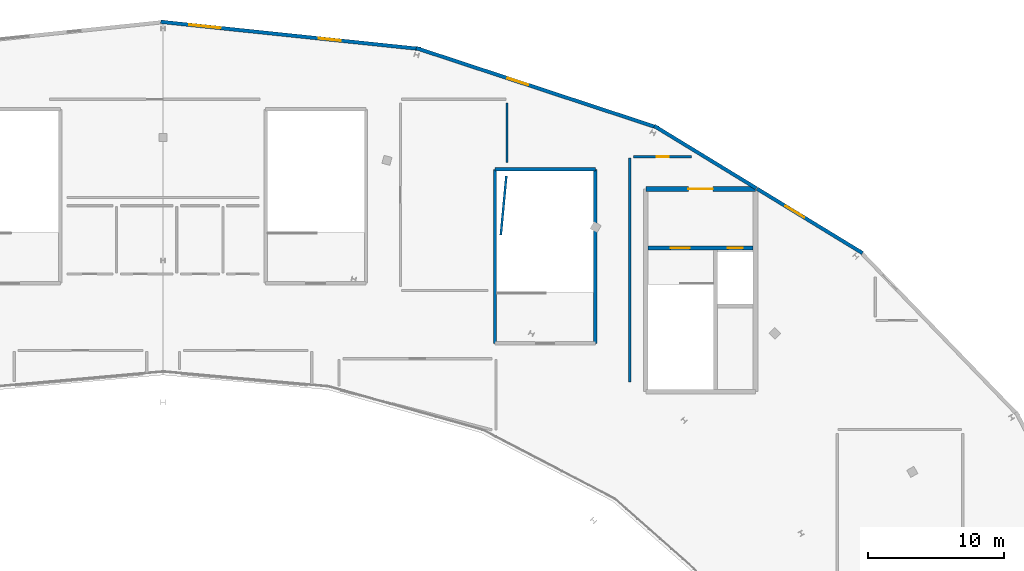
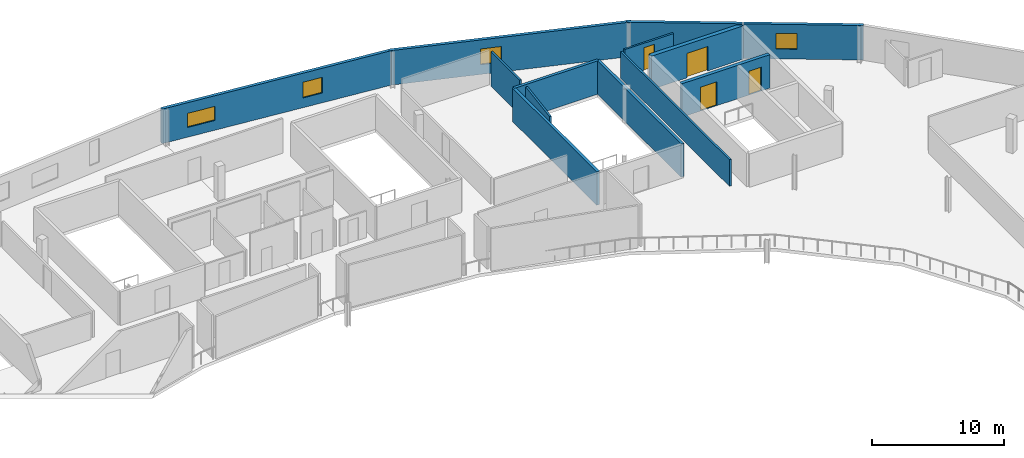
# One storey, part 32 of 35: 13 walls, 4 doors, 4 windows, 8 openings.
"""IFC4 building model written with IfcOpenShell, lengths in metres."""

import ifcopenshell
import ifcopenshell.guid

model = None  # the IFC model being written
_history = None  # IfcOwnerHistory: only IFC2X3 demands one
_inside = {}  # id of a spatial element -> (the spatial element, [elements in it])
_under = {}  # id of a project, library or spatial element -> (it, [spatial elements below it])
_declared = {}  # id of a project -> (the project, [libraries it declares])
_typed = {}  # id of a type object -> (the type object, [elements of that type])
_made_of = {}  # id of a material, layer set ... -> (it, [elements and type objects made of it])


def new_model(schema):
    """Start an empty IFC model of exactly this schema.

    Asked for "IFC4X3", IfcOpenShell would pick the latest addendum, in which some entities
    have other attributes; the version numbers below select the first issue.
    IFC2X3 requires an IfcOwnerHistory on every rooted entity: one is made here for all.
    """
    global model, _history
    if schema == "IFC4X3":
        model = ifcopenshell.file(schema_version=(4, 3, 0, 0))
    else:
        model = ifcopenshell.file(schema=schema)
    _inside.clear()
    _under.clear()
    _declared.clear()
    _typed.clear()
    _made_of.clear()
    _history = None
    if model.schema == "IFC2X3":
        org = make("IfcOrganization", Name="unknown")
        user = make(
            "IfcPersonAndOrganization",
            ThePerson=make("IfcPerson", FamilyName="unknown"),
            TheOrganization=org,
        )
        app = make(
            "IfcApplication",
            ApplicationDeveloper=org,
            Version="unknown",
            ApplicationFullName="unknown",
            ApplicationIdentifier="unknown",
        )
        _history = make(
            "IfcOwnerHistory",
            OwningUser=user,
            OwningApplication=app,
            ChangeAction="ADDED",
            CreationDate=0,
        )
    return model


def make(cls, **values):
    """One entity of the class cls with the attributes given. An attribute that is None is left unset."""
    return model.create_entity(
        cls, **{name: value for name, value in values.items() if value is not None}
    )


def rooted(cls, **values):
    """An entity with a GlobalId (a new one), such as an element, a storey or a relation."""
    return make(cls, GlobalId=ifcopenshell.guid.new(), OwnerHistory=_history, **values)


def si_unit(unit_type, name, prefix=None):
    """IfcSIUnit, for example si_unit("LENGTHUNIT", "METRE", prefix="MILLI")."""
    return make("IfcSIUnit", UnitType=unit_type, Prefix=prefix, Name=name)


def assignment(units):
    """IfcUnitAssignment: the units of a project."""
    return None if units is None else make("IfcUnitAssignment", Units=units)


def point(xyz):
    """IfcCartesianPoint."""
    return None if xyz is None else make("IfcCartesianPoint", Coordinates=xyz)


def direction(xyz):
    """IfcDirection."""
    return None if xyz is None else make("IfcDirection", DirectionRatios=xyz)


def frame(location, z_axis=None, x_axis=None):
    """IfcAxis2Placement3D, a coordinate frame: its origin and axes. An axis left out is left unset."""
    return make(
        "IfcAxis2Placement3D",
        Location=point(location),
        Axis=direction(z_axis),
        RefDirection=direction(x_axis),
    )


def frame_2d(location, x_axis=None):
    """IfcAxis2Placement2D, a coordinate frame in the plane: its origin and x axis."""
    return make(
        "IfcAxis2Placement2D", Location=point(location), RefDirection=direction(x_axis)
    )


def origin():
    """The frame at (0, 0, 0) with its axes left unset."""
    return frame((0.0, 0.0, 0.0))


def place(relative_to, where):
    """IfcLocalPlacement: puts the frame where relative to a parent placement (None: the world)."""
    return make(
        "IfcLocalPlacement", PlacementRelTo=relative_to, RelativePlacement=where
    )


def context(
    kind, dimensions, precision=None, world=None, true_north=None, identifier=None
):
    """IfcGeometricRepresentationContext, for example the 3D "Model" context."""
    return make(
        "IfcGeometricRepresentationContext",
        ContextIdentifier=identifier,
        ContextType=kind,
        CoordinateSpaceDimension=dimensions,
        Precision=precision,
        WorldCoordinateSystem=world,
        TrueNorth=true_north,
    )


def subcontext(parent, identifier, kind, view, scale=None):
    """IfcGeometricRepresentationSubContext, for example "Body" below "Model"."""
    return make(
        "IfcGeometricRepresentationSubContext",
        ContextIdentifier=identifier,
        ContextType=kind,
        ParentContext=parent,
        TargetScale=scale,
        TargetView=view,
    )


def project(units=None, contexts=None):
    """IfcProject with its units and contexts."""
    return rooted(
        "IfcProject",
        Name="project",
        RepresentationContexts=contexts,
        UnitsInContext=assignment(units),
    )


def spatial(cls, under=None, at=None, **own):
    """A site, building, storey or space (cls), placed at a placement, below another one or the project."""
    s = rooted(cls, ObjectPlacement=at, **own)
    if under is not None:
        _under.setdefault(under.id(), (under, []))[1].append(s)
    return s


def profile(cls, at=None, kind="AREA", **sizes):
    """A parametric profile (cls). Its sizes go by their IFC names, for example OverallWidth=200.0."""
    return make(cls, ProfileType=kind, Position=at, **sizes)


def rectangle(**sizes):
    """IfcRectangleProfileDef."""
    return profile("IfcRectangleProfileDef", **sizes)


def extrude(swept, where, along, depth):
    """IfcExtrudedAreaSolid: the profile swept, set in the frame where, extruded along a direction by depth."""
    return make(
        "IfcExtrudedAreaSolid",
        SweptArea=swept,
        Position=where,
        ExtrudedDirection=direction(along),
        Depth=depth,
    )


def shape(context_of_items, identifier, shape_type, items):
    """IfcShapeRepresentation: the items that make up one representation, for example the "Body"."""
    return make(
        "IfcShapeRepresentation",
        ContextOfItems=context_of_items,
        RepresentationIdentifier=identifier,
        RepresentationType=shape_type,
        Items=items,
    )


def material(Name=None, Category=None):
    """IfcMaterial."""
    return make("IfcMaterial", Name=Name, Category=Category)


def layer(
    of_material, thickness, ventilated=None, Name=None, Category=None, Priority=None
):
    """IfcMaterialLayer: one layer of a wall or slab, of a material (None: an air gap)."""
    return make(
        "IfcMaterialLayer",
        Material=of_material,
        LayerThickness=thickness,
        IsVentilated=ventilated,
        Name=Name,
        Category=Category,
        Priority=Priority,
    )


def layer_set(layers, Name=None):
    """IfcMaterialLayerSet."""
    return make("IfcMaterialLayerSet", MaterialLayers=layers, LayerSetName=Name)


def made_of(thing, what):
    """Note that an element or type object is made of a material, layer set ...; save() writes the relation."""
    if what is not None:
        _made_of.setdefault(what.id(), (what, []))[1].append(thing)
    return thing


def type_object(cls, material=None, **own):
    """A type object (cls), such as IfcWallType, which elements share."""
    return made_of(rooted(cls, **own), material)


def element(
    cls,
    number,
    at=None,
    inside=None,
    cuts=None,
    type_object=None,
    material=None,
    context=None,
    identifier="Body",
    shape_type=None,
    held_by="IfcProductDefinitionShape",
    body=None,
    shapes=None,
    **own,
):
    """One element of the class cls, such as IfcWall. Its Tag is "e" and its number.

    at: its placement. inside: the storey or other place that contains it. cuts: it is an
    opening in that element (IfcRelVoidsElement). A single representation is given by context,
    identifier, shape_type and body (its items); several are given by shapes. held_by: the class
    of the entity that holds the representations. save() writes the other relations.
    """
    e = rooted(cls, Tag="e%d" % number, ObjectPlacement=at, **own)
    if body is not None:
        shapes = [shape(context, identifier, shape_type, body)]
    if shapes is not None:
        e.Representation = make(held_by, Representations=shapes)
    if inside is not None:
        _inside.setdefault(inside.id(), (inside, []))[1].append(e)
    if cuts is not None:
        rooted(
            "IfcRelVoidsElement", RelatingBuildingElement=cuts, RelatedOpeningElement=e
        )
    if type_object is not None:
        _typed.setdefault(type_object.id(), (type_object, []))[1].append(e)
    return made_of(e, material)


def fill(opening, filler):
    """IfcRelFillsElement: the door or window that sits in an opening."""
    return rooted(
        "IfcRelFillsElement",
        RelatingOpeningElement=opening,
        RelatedBuildingElement=filler,
    )


def aggregate(whole, parts):
    """IfcRelAggregates: a whole, such as a stair, and the parts it consists of."""
    return rooted("IfcRelAggregates", RelatingObject=whole, RelatedObjects=parts)


def save(model, path):
    """Write the relations noted so far, then the file.

    IfcRelAggregates (storeys below a building ...), IfcRelContainedInSpatialStructure (elements
    in a storey), IfcRelDefinesByType, IfcRelAssociatesMaterial and IfcRelDeclares: one each for
    every whole, place, type object, material and project.
    """
    for whole, parts in _under.values():
        aggregate(whole, parts)
    for where, things in _inside.values():
        rooted(
            "IfcRelContainedInSpatialStructure",
            RelatedElements=things,
            RelatingStructure=where,
        )
    for kind, things in _typed.values():
        rooted("IfcRelDefinesByType", RelatedObjects=things, RelatingType=kind)
    for what, things in _made_of.values():
        rooted("IfcRelAssociatesMaterial", RelatedObjects=things, RelatingMaterial=what)
    for by, libraries in _declared.values():
        rooted("IfcRelDeclares", RelatingContext=by, RelatedDefinitions=libraries)
    model.write(path)


model = new_model("IFC4")

# Units and contexts
model_context = context("Model", 3, precision=1e-05, world=origin(), true_north=direction((0.0, 1.0)))
body_context = subcontext(model_context, "Body", "Model", "MODEL_VIEW")
ifc_project = project(units=[si_unit("LENGTHUNIT", "METRE"), si_unit("AREAUNIT", "SQUARE_METRE"), si_unit("VOLUMEUNIT", "CUBIC_METRE"), si_unit("PLANEANGLEUNIT", "RADIAN"), si_unit("MASSUNIT", "GRAM", prefix="KILO")], contexts=[model_context])

# Site, building, storey
site_placement = place(None, origin())
site = spatial("IfcSite", under=ifc_project, at=site_placement, CompositionType="ELEMENT")
building_placement = place(site_placement, origin())
building = spatial("IfcBuilding", under=site, at=building_placement, Name="Kalgoora Escarpment Arena", CompositionType="ELEMENT")
storey_placement = place(building_placement, frame((0.0, 0.0, 23.39990234375)))
storey = spatial("IfcBuildingStorey", under=building, at=storey_placement, Name="L05", CompositionType="ELEMENT", Elevation=23.39990234375)

# Wall, opening, door
ifc_material_1 = material(Name="Concrete N50 (fc' 50 MPa)", Category="concrete")
ifc_layer_1 = layer(ifc_material_1, 0.35009765625)
ifc_layer_set_1 = layer_set([ifc_layer_1], Name="WAL-CORE-350")
wall_type_1 = type_object("IfcWallType", Name="WAL-CORE-350", PredefinedType="SHEAR", material=ifc_layer_set_1)
wall_1_placement = place(storey_placement, frame((127.77490234375, 109.22509765625, 0.0), z_axis=(0.0, 0.0, 1.0), x_axis=(1.0, 0.0, 0.0)))
wall_1 = element("IfcWall", 1, at=wall_1_placement, inside=storey, type_object=wall_type_1, Name="Core C4 L05 north lobby wall", PredefinedType="SHEAR", context=body_context, shape_type="SweptSolid", body=[
    extrude(rectangle(XDim=8.050048828125, YDim=0.35009765625, at=frame_2d((4.02490234375, 0.0))), origin(), (0.0, 0.0, 1.0), 3.080078125),
])
opening_1_placement = place(wall_1_placement, frame((3.125, 0.0, 0.0)))
opening_1 = element("IfcOpeningElement", 2, at=opening_1_placement, cuts=wall_1, Name="Opening FD-C4L", PredefinedType="OPENING", context=body_context, shape_type="SweptSolid", body=[
    extrude(rectangle(XDim=1.800048828125, YDim=2.25, at=frame_2d((0.89990234375, 1.125))), frame((0.0, 0.18505859375, 0.0), z_axis=(0.0, -1.0, 0.0), x_axis=(1.0, 0.0, 0.0)), (0.0, 0.0, 1.0), 0.3701171875),
])
ifc_material_2 = material(Name="Double fire-rated smoke-seal lobby door")
door_type_1 = type_object("IfcDoorType", Name="DR-LOBBY-1800", OperationType="NOTDEFINED", PredefinedType="DOOR", material=ifc_material_2)
door_1_placement = place(opening_1_placement, origin())
door_1 = element("IfcDoor", 3, at=door_1_placement, inside=storey, type_object=door_type_1, Name="Core C4 L05 smoke-lobby fire door", OperationType="DOUBLE_DOOR_SINGLE_SWING", OverallHeight=2.25, OverallWidth=1.800048828125, PredefinedType="DOOR", context=body_context, shape_type="SweptSolid", body=[
    extrude(rectangle(XDim=1.800048828125, YDim=2.25, at=frame_2d((0.89990234375, 1.125))), frame((0.0, 0.02490234375, 0.0), z_axis=(0.0, -1.0, 0.0), x_axis=(1.0, 0.0, 0.0)), (0.0, 0.0, 1.0), 0.050048828125),
])
fill(opening_1, door_1)

# Wall, openings, windows
ifc_material_3 = material(Name="Media ring insulated acoustic facade wall 40 MPa", Category="concrete")
ifc_layer_2 = layer(ifc_material_3, 0.264892578125)
ifc_layer_set_2 = layer_set([ifc_layer_2], Name="WAL-EXT-265")
wall_type_2 = type_object("IfcWallType", Name="WAL-EXT-265", PredefinedType="SOLIDWALL", material=ifc_layer_set_2)
wall_2_placement = place(storey_placement, frame((92.2333984375, 121.484130859375, 0.0), z_axis=(0.0, 0.0, 1.0), x_axis=(0.994559811118, -0.104167087454, 0.0)))
wall_2 = element("IfcWall", 4, at=wall_2_placement, inside=storey, type_object=wall_type_2, Name="L05 limestone-faced external wall 096", PredefinedType="SOLIDWALL", context=body_context, shape_type="SweptSolid", body=[
    extrude(rectangle(XDim=19.1484375, YDim=0.264892578125, at=frame_2d((9.57421875, 0.0))), origin(), (0.0, 0.0, 1.0), 3.18017578125),
])
opening_2_placement = place(wall_2_placement, frame((2.10009765625, 0.0, 0.89990234375)))
opening_2 = element("IfcOpeningElement", 5, at=opening_2_placement, cuts=wall_2, Name="Opening W-16", PredefinedType="OPENING", context=body_context, shape_type="SweptSolid", body=[
    extrude(rectangle(XDim=2.300048828125, YDim=1.300048828125, at=frame_2d((1.14990234375, 0.64990234375))), frame((0.0, 0.142333984375, 0.0), z_axis=(0.0, -1.0, 0.0), x_axis=(1.0, 0.0, 0.0)), (0.0, 0.0, 1.0), 0.284912109375),
])
opening_3_placement = place(wall_2_placement, frame((11.64990234375, 0.0, 0.89990234375)))
opening_3 = element("IfcOpeningElement", 6, at=opening_3_placement, cuts=wall_2, Name="Opening W-19", PredefinedType="OPENING", context=body_context, shape_type="SweptSolid", body=[
    extrude(rectangle(XDim=1.60009765625, YDim=1.449951171875, at=frame_2d((0.800048828125, 0.72509765625))), frame((0.0, 0.142333984375, 0.0), z_axis=(0.0, -1.0, 0.0), x_axis=(1.0, 0.0, 0.0)), (0.0, 0.0, 1.0), 0.284912109375),
])
ifc_material_4 = material(Name="Low-E solar-control double glazing in champagne frame", Category="glass")
window_type_1 = type_object("IfcWindowType", Name="WIN-BOH-1600x1450", PartitioningType="SINGLE_PANEL", PredefinedType="WINDOW", material=ifc_material_4)
window_1_placement = place(opening_3_placement, origin())
window_1 = element("IfcWindow", 7, at=window_1_placement, inside=storey, type_object=window_type_1, Name="L05 scheduled facade window 157", OverallHeight=1.449951171875, OverallWidth=1.60009765625, PartitioningType="SINGLE_PANEL", PredefinedType="WINDOW", context=body_context, shape_type="SweptSolid", body=[
    extrude(rectangle(XDim=1.60009765625, YDim=1.449951171875, at=frame_2d((0.800048828125, 0.72509765625))), frame((0.0, 0.030029296875, 0.0), z_axis=(0.0, -1.0, 0.0), x_axis=(1.0, 0.0, 0.0)), (0.0, 0.0, 1.0), 0.06005859375),
])
fill(opening_3, window_1)
ifc_material_5 = material(Name="Low-E solar-control double glazing in champagne frame", Category="glass")
window_type_2 = type_object("IfcWindowType", Name="WIN-CLER-2300x1300", PartitioningType="SINGLE_PANEL", PredefinedType="WINDOW", material=ifc_material_5)
window_2_placement = place(opening_2_placement, origin())
window_2 = element("IfcWindow", 8, at=window_2_placement, inside=storey, type_object=window_type_2, Name="L05 scheduled facade window 156", OverallHeight=1.300048828125, OverallWidth=2.300048828125, PartitioningType="SINGLE_PANEL", PredefinedType="WINDOW", context=body_context, shape_type="SweptSolid", body=[
    extrude(rectangle(XDim=2.300048828125, YDim=1.300048828125, at=frame_2d((1.14990234375, 0.64990234375))), frame((0.0, 0.030029296875, 0.0), z_axis=(0.0, -1.0, 0.0), x_axis=(1.0, 0.0, 0.0)), (0.0, 0.0, 1.0), 0.06005859375),
])
fill(opening_2, window_2)

# Wall, opening, window
wall_3_placement = place(storey_placement, frame((110.951171875, 119.5595703125, 0.0), z_axis=(0.0, 0.0, 1.0), x_axis=(0.949760483421, -0.312977673536, 0.0)))
wall_3 = element("IfcWall", 9, at=wall_3_placement, inside=storey, type_object=wall_type_2, Name="L05 limestone-faced external wall 097", PredefinedType="SOLIDWALL", context=body_context, shape_type="SweptSolid", body=[
    extrude(rectangle(XDim=18.692626953125, YDim=0.264892578125, at=frame_2d((9.34619140625, 0.0))), origin(), (0.0, 0.0, 1.0), 3.18017578125),
])
opening_4_placement = place(wall_3_placement, frame((7.050048828125, 0.0, 0.89990234375)))
opening_4 = element("IfcOpeningElement", 10, at=opening_4_placement, cuts=wall_3, Name="Opening W-19", PredefinedType="OPENING", context=body_context, shape_type="SweptSolid", body=[
    extrude(rectangle(XDim=1.60009765625, YDim=1.449951171875, at=frame_2d((0.800048828125, 0.72509765625))), frame((0.0, 0.142333984375, 0.0), z_axis=(0.0, -1.0, 0.0), x_axis=(1.0, 0.0, 0.0)), (0.0, 0.0, 1.0), 0.284912109375),
])
window_3_placement = place(opening_4_placement, origin())
window_3 = element("IfcWindow", 11, at=window_3_placement, inside=storey, type_object=window_type_1, Name="L05 scheduled facade window 158", OverallHeight=1.449951171875, OverallWidth=1.60009765625, PartitioningType="SINGLE_PANEL", PredefinedType="WINDOW", context=body_context, shape_type="SweptSolid", body=[
    extrude(rectangle(XDim=1.60009765625, YDim=1.449951171875, at=frame_2d((0.800048828125, 0.72509765625))), frame((0.0, 0.030029296875, 0.0), z_axis=(0.0, -1.0, 0.0), x_axis=(1.0, 0.0, 0.0)), (0.0, 0.0, 1.0), 0.06005859375),
])
fill(opening_4, window_3)

# Wall
wall_4_placement = place(storey_placement, frame((128.39990234375, 113.85009765625, 0.0), z_axis=(0.0, 0.0, 1.0), x_axis=(0.85351467128, -0.521068811108, 0.0)))
element("IfcWall", 12, at=wall_4_placement, inside=storey, type_object=wall_type_2, Name="L05 limestone-faced external wall 098", PredefinedType="SOLIDWALL", context=body_context, shape_type="SweptSolid", body=[
    extrude(rectangle(XDim=8.757568359375, YDim=0.264892578125, at=frame_2d((4.37890625, 0.0))), origin(), (0.0, 0.0, 1.0), 3.18017578125),
])

# Wall, opening, window
wall_5_placement = place(storey_placement, frame((135.930908203125, 109.25244140625, 0.0), z_axis=(0.0, 0.0, 1.0), x_axis=(0.853521769318, -0.52105718429, 0.0)))
wall_5 = element("IfcWall", 13, at=wall_5_placement, inside=storey, type_object=wall_type_2, Name="L05 limestone-faced external wall 099", PredefinedType="SOLIDWALL", context=body_context, shape_type="SweptSolid", body=[
    extrude(rectangle(XDim=9.051513671875, YDim=0.264892578125, at=frame_2d((4.52587890625, 0.0))), origin(), (0.0, 0.0, 1.0), 3.18017578125),
])
opening_5_placement = place(wall_5_placement, frame((2.449951171875, 0.0, 0.89990234375)))
opening_5 = element("IfcOpeningElement", 14, at=opening_5_placement, cuts=wall_5, Name="Opening W-19", PredefinedType="OPENING", context=body_context, shape_type="SweptSolid", body=[
    extrude(rectangle(XDim=1.60009765625, YDim=1.449951171875, at=frame_2d((0.800048828125, 0.72509765625))), frame((0.0, 0.142333984375, 0.0), z_axis=(0.0, -1.0, 0.0), x_axis=(1.0, 0.0, 0.0)), (0.0, 0.0, 1.0), 0.284912109375),
])
window_4_placement = place(opening_5_placement, origin())
window_4 = element("IfcWindow", 15, at=window_4_placement, inside=storey, type_object=window_type_1, Name="L05 scheduled facade window 159", OverallHeight=1.449951171875, OverallWidth=1.60009765625, PartitioningType="SINGLE_PANEL", PredefinedType="WINDOW", context=body_context, shape_type="SweptSolid", body=[
    extrude(rectangle(XDim=1.60009765625, YDim=1.449951171875, at=frame_2d((0.800048828125, 0.72509765625))), frame((0.0, 0.030029296875, 0.0), z_axis=(0.0, -1.0, 0.0), x_axis=(1.0, 0.0, 0.0)), (0.0, 0.0, 1.0), 0.06005859375),
])
fill(opening_5, window_4)

# Walls
ifc_material_6 = material(Name="Broadcast acoustic double-stud partition", Category="gypsum")
ifc_layer_3 = layer(ifc_material_6, 0.1650390625)
ifc_layer_set_3 = layer_set([ifc_layer_3], Name="WAL-MED-165")
wall_type_3 = type_object("IfcWallType", Name="WAL-MED-165", PredefinedType="PARTITIONING", material=ifc_layer_set_3)
wall_6_placement = place(storey_placement, frame((117.60009765625, 115.51513671875, 0.0), z_axis=(0.0, 0.0, 1.0), x_axis=(0.0, -1.0, 0.0)))
element("IfcWall", 16, at=wall_6_placement, inside=storey, type_object=wall_type_3, Name="L05 Press Workroom partition wall", PredefinedType="PARTITIONING", context=body_context, shape_type="SweptSolid", body=[
    extrude(rectangle(XDim=4.340087890625, YDim=0.1650390625, at=frame_2d((2.169921875, 0.0))), origin(), (0.0, 0.0, 1.0), 3.18017578125),
])
wall_7_placement = place(storey_placement, frame((117.557373046875, 110.17529296875, 0.0), z_axis=(0.0, 0.0, 1.0), x_axis=(-0.093589006701, -0.995610916887, 0.0)))
element("IfcWall", 17, at=wall_7_placement, inside=storey, type_object=wall_type_3, Name="L05 Press Workroom partition wall", PredefinedType="PARTITIONING", context=body_context, shape_type="SweptSolid", body=[
    extrude(rectangle(XDim=4.3251953125, YDim=0.1650390625, at=frame_2d((2.16259765625, 0.0))), origin(), (0.0, 0.0, 1.0), 3.18017578125),
])
wall_8_placement = place(storey_placement, frame((126.60009765625, 95.080078125, 0.0), z_axis=(0.0, 0.0, 1.0), x_axis=(0.0, 1.0, 0.0)))
element("IfcWall", 18, at=wall_8_placement, inside=storey, type_object=wall_type_3, Name="L05 East Broadcast Replay Studio partition wall", PredefinedType="PARTITIONING", context=body_context, shape_type="SweptSolid", body=[
    extrude(rectangle(XDim=16.43994140625, YDim=0.1650390625, at=frame_2d((8.219970703125, 0.0))), origin(), (0.0, 0.0, 1.0), 2.445068359375),
])

# Wall, opening, door
wall_9_placement = place(storey_placement, frame((126.884765625, 111.60009765625, 0.0), z_axis=(0.0, 0.0, 1.0), x_axis=(1.0, 0.0, 0.0)))
wall_9 = element("IfcWall", 19, at=wall_9_placement, inside=storey, type_object=wall_type_3, Name="L05 East Broadcast Replay Studio partition wall", PredefinedType="PARTITIONING", context=body_context, shape_type="SweptSolid", body=[
    extrude(rectangle(XDim=4.25732421875, YDim=0.1650390625, at=frame_2d((2.128662109375, 0.0))), origin(), (0.0, 0.0, 1.0), 2.5),
])
opening_6_placement = place(wall_9_placement, frame((1.6787109375, 0.0, 0.0)))
opening_6 = element("IfcOpeningElement", 20, at=opening_6_placement, cuts=wall_9, Name="Opening FD-I157", PredefinedType="OPENING", context=body_context, shape_type="SweptSolid", body=[
    extrude(rectangle(XDim=0.89990234375, YDim=2.10009765625, at=frame_2d((0.449951171875, 1.050048828125))), frame((0.0, 0.092529296875, 0.0), z_axis=(0.0, -1.0, 0.0), x_axis=(1.0, 0.0, 0.0)), (0.0, 0.0, 1.0), 0.18505859375),
])
ifc_material_7 = material(Name="Fire-rated steel riser access door", Category="steel")
door_type_2 = type_object("IfcDoorType", Name="DR-RISER-0900", OperationType="NOTDEFINED", PredefinedType="DOOR", material=ifc_material_7)
door_2_placement = place(opening_6_placement, origin())
door_2 = element("IfcDoor", 21, at=door_2_placement, inside=storey, type_object=door_type_2, Name="East Broadcast Replay Studio entrance door", OperationType="SINGLE_SWING_LEFT", OverallHeight=2.10009765625, OverallWidth=0.89990234375, PredefinedType="DOOR", context=body_context, shape_type="SweptSolid", body=[
    extrude(rectangle(XDim=0.89990234375, YDim=2.10009765625, at=frame_2d((0.449951171875, 1.050048828125))), frame((0.0, 0.02490234375, 0.0), z_axis=(0.0, -1.0, 0.0), x_axis=(1.0, 0.0, 0.0)), (0.0, 0.0, 1.0), 0.050048828125),
])
fill(opening_6, door_2)

# Wall, openings, doors
ifc_material_8 = material(Name="Concrete N50 (fc' 50 MPa)", Category="concrete")
ifc_layer_4 = layer(ifc_material_8, 0.300048828125)
ifc_layer_set_4 = layer_set([ifc_layer_4], Name="WAL-SHAFT-300")
wall_type_4 = type_object("IfcWallType", Name="WAL-SHAFT-300", PredefinedType="SHEAR", material=ifc_layer_set_4)
wall_10_placement = place(storey_placement, frame((127.949951171875, 104.89990234375, 0.0), z_axis=(0.0, 0.0, 1.0), x_axis=(1.0, 0.0, 0.0)))
wall_10 = element("IfcWall", 22, at=wall_10_placement, inside=storey, type_object=wall_type_4, Name="Core C4 L05 lobby shaft wall", PredefinedType="SHEAR", context=body_context, shape_type="SweptSolid", body=[
    extrude(rectangle(XDim=7.699951171875, YDim=0.300048828125, at=frame_2d((3.85009765625, 0.0))), origin(), (0.0, 0.0, 1.0), 3.080078125),
])
opening_7_placement = place(wall_10_placement, frame((1.64990234375, 0.0, 0.0)))
opening_7 = element("IfcOpeningElement", 23, at=opening_7_placement, cuts=wall_10, Name="Opening FD-ST04", PredefinedType="OPENING", context=body_context, shape_type="SweptSolid", body=[
    extrude(rectangle(XDim=1.39990234375, YDim=2.199951171875, at=frame_2d((0.699951171875, 1.10009765625))), frame((0.0, 0.159912109375, 0.0), z_axis=(0.0, -1.0, 0.0), x_axis=(1.0, 0.0, 0.0)), (0.0, 0.0, 1.0), 0.320068359375),
])
opening_8_placement = place(wall_10_placement, frame((5.85009765625, 0.0, 0.0)))
opening_8 = element("IfcOpeningElement", 24, at=opening_8_placement, cuts=wall_10, Name="Opening LD-PL2", PredefinedType="OPENING", context=body_context, shape_type="SweptSolid", body=[
    extrude(rectangle(XDim=1.10009765625, YDim=2.199951171875, at=frame_2d((0.550048828125, 1.10009765625))), frame((0.0, 0.159912109375, 0.0), z_axis=(0.0, -1.0, 0.0), x_axis=(1.0, 0.0, 0.0)), (0.0, 0.0, 1.0), 0.320068359375),
])
ifc_material_9 = material(Name="Brushed stainless steel sliding lift landing door", Category="steel")
door_type_3 = type_object("IfcDoorType", Name="DR-LD-PL2", OperationType="SLIDING_TO_LEFT", PredefinedType="DOOR", material=ifc_material_9)
door_3_placement = place(opening_8_placement, origin())
door_3 = element("IfcDoor", 25, at=door_3_placement, inside=storey, type_object=door_type_3, Name="Lift PL2 L05 sliding landing door", OperationType="SLIDING_TO_LEFT", OverallHeight=2.199951171875, OverallWidth=1.10009765625, PredefinedType="DOOR", context=body_context, shape_type="SweptSolid", body=[
    extrude(rectangle(XDim=1.10009765625, YDim=2.199951171875, at=frame_2d((0.550048828125, 1.10009765625))), frame((0.0, 0.02490234375, 0.0), z_axis=(0.0, -1.0, 0.0), x_axis=(1.0, 0.0, 0.0)), (0.0, 0.0, 1.0), 0.050048828125),
])
fill(opening_8, door_3)
ifc_material_10 = material(Name="Fire-rated steel stair leaf with vision panel", Category="steel")
door_type_4 = type_object("IfcDoorType", Name="DR-STAIR-1400", OperationType="NOTDEFINED", PredefinedType="DOOR", material=ifc_material_10)
door_4_placement = place(opening_7_placement, origin())
door_4 = element("IfcDoor", 26, at=door_4_placement, inside=storey, type_object=door_type_4, Name="Fire stair ST04 L05 fire door", OperationType="SINGLE_SWING_RIGHT", OverallHeight=2.199951171875, OverallWidth=1.39990234375, PredefinedType="DOOR", context=body_context, shape_type="SweptSolid", body=[
    extrude(rectangle(XDim=1.39990234375, YDim=2.199951171875, at=frame_2d((0.699951171875, 1.10009765625))), frame((0.0, 0.02490234375, 0.0), z_axis=(0.0, -1.0, 0.0), x_axis=(1.0, 0.0, 0.0)), (0.0, 0.0, 1.0), 0.050048828125),
])
fill(opening_7, door_4)

# Walls
ifc_material_11 = material(Name="Concrete N50 (fc' 50 MPa)", Category="concrete")
ifc_layer_5 = layer(ifc_material_11, 0.25)
ifc_layer_set_5 = layer_set([ifc_layer_5], Name="WAL-STAIR-250")
wall_type_5 = type_object("IfcWallType", Name="WAL-STAIR-250", PredefinedType="SHEAR", material=ifc_layer_set_5)
wall_11_placement = place(storey_placement, frame((116.72509765625, 110.675048828125, 0.0), z_axis=(0.0, 0.0, 1.0), x_axis=(1.0, 0.0, 0.0)))
element("IfcWall", 27, at=wall_11_placement, inside=storey, type_object=wall_type_5, Name="Exit stair ST12 L05 north wall", PredefinedType="SHEAR", context=body_context, shape_type="SweptSolid", body=[
    extrude(rectangle(XDim=7.349853515625, YDim=0.25, at=frame_2d((3.6748046875, 0.0))), origin(), (0.0, 0.0, 1.0), 3.080078125),
])
for number, where, z_axis, x_axis, name in (
    (28, (116.72509765625, 97.925048828125, 0.0), (0.0, 0.0, 1.0), (0.0, 1.0, 0.0), "Exit stair ST12 L05 west wall"),
    (29, (124.074951171875, 97.925048828125, 0.0), (0.0, 0.0, 1.0), (0.0, 1.0, 0.0), "Exit stair ST12 L05 east wall"),
):
    element("IfcWall", number, at=place(storey_placement, frame(where, z_axis=z_axis, x_axis=x_axis)), inside=storey, type_object=wall_type_5, Name=name, PredefinedType="SHEAR", context=body_context, shape_type="SweptSolid", body=[
        extrude(rectangle(XDim=12.75, YDim=0.25, at=frame_2d((6.375, 0.0))), origin(), (0.0, 0.0, 1.0), 3.080078125),
    ])

save(model, "model.ifc")
